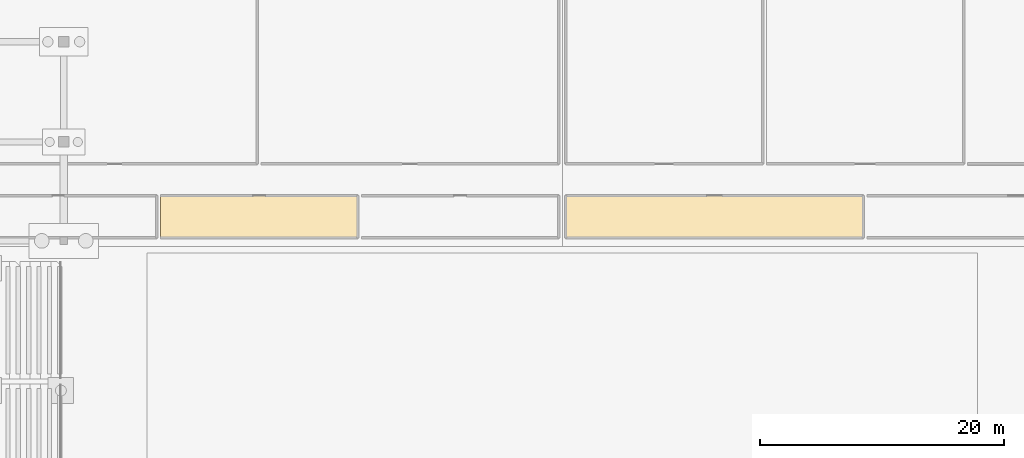
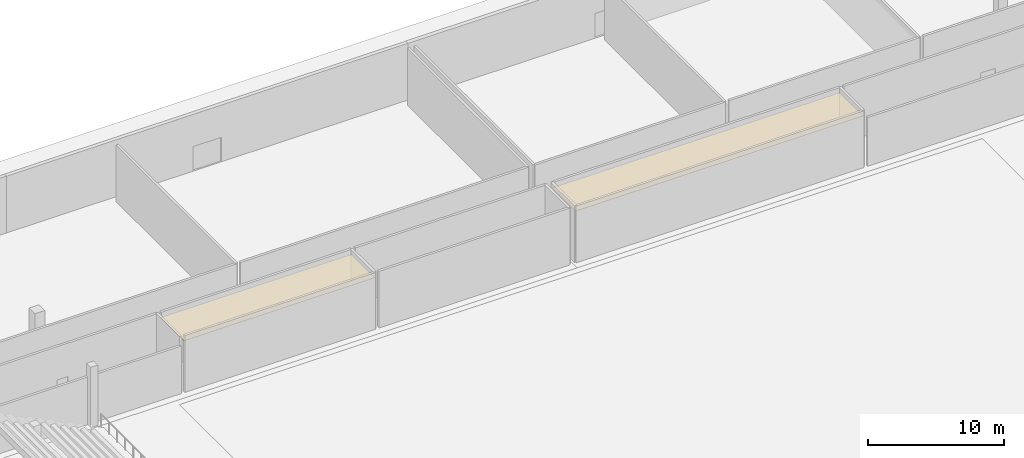
# One storey, part 85 of 89: 2 coverings.
"""IFC4 building model written with IfcOpenShell, lengths in metres."""

from ifc_helpers import new_model, si_unit, direction, frame, origin, place, context, subcontext, project, spatial, polyline, outline, extrude, material, layer, layer_set, type_object, element, save


model = new_model("IFC4")

# Units and contexts
model_context = context("Model", 3, precision=1e-05, world=origin(), true_north=direction((0.0, 1.0)))
body_context = subcontext(model_context, "Body", "Model", "MODEL_VIEW")
ifc_project = project(units=[si_unit("LENGTHUNIT", "METRE"), si_unit("AREAUNIT", "SQUARE_METRE"), si_unit("VOLUMEUNIT", "CUBIC_METRE"), si_unit("PLANEANGLEUNIT", "RADIAN"), si_unit("MASSUNIT", "GRAM", prefix="KILO")], contexts=[model_context])

# Site, building, storey
site_placement = place(None, origin())
site = spatial("IfcSite", under=ifc_project, at=site_placement, CompositionType="ELEMENT")
building_placement = place(site_placement, origin())
building = spatial("IfcBuilding", under=site, at=building_placement, Name="Koshinbarg Plaza Stadium", CompositionType="ELEMENT")
storey_placement = place(building_placement, origin())
storey = spatial("IfcBuildingStorey", under=building, at=storey_placement, Name="L00", CompositionType="ELEMENT", Elevation=0.0)

# Coverings
ifc_material = material(Name="Perforated gypsum acoustic ceiling board")
ifc_layer = layer(ifc_material, 0.030029296875)
ifc_layer_set = layer_set([ifc_layer], Name="Perforated gypsum acoustic ceiling board")
covering_type = type_object("IfcCoveringType", Name="COV-CEIL-01", PredefinedType="CEILING", material=ifc_layer_set)
covering_1_placement = place(storey_placement, frame((0.0, 0.0, 4.530029296875)))
element("IfcCovering", 1, at=covering_1_placement, inside=storey, type_object=covering_type, Name="L00 Sports Museum Hall acoustic ceiling 001", PredefinedType="CEILING", context=body_context, shape_type="SweptSolid", body=[
    extrude(outline(polyline([(89.123291015625, 127.7451171875), (105.276611328125, 127.7451171875), (105.276611328125, 131.199951171875), (89.123291015625, 131.199951171875), (89.123291015625, 127.7451171875)])), origin(), (0.0, 0.0, 1.0), 0.030029296875),
])
covering_2_placement = place(storey_placement, frame((0.0, 0.0, 4.530029296875)))
element("IfcCovering", 2, at=covering_2_placement, inside=storey, type_object=covering_type, Name="L00 Sports Museum Hall acoustic ceiling 002", PredefinedType="CEILING", context=body_context, shape_type="SweptSolid", body=[
    extrude(outline(polyline([(122.27001953125, 127.7451171875), (146.64990234375, 127.7451171875), (146.64990234375, 131.199951171875), (122.27001953125, 131.199951171875), (122.27001953125, 127.7451171875)])), origin(), (0.0, 0.0, 1.0), 0.030029296875),
])

save(model, "model.ifc")
